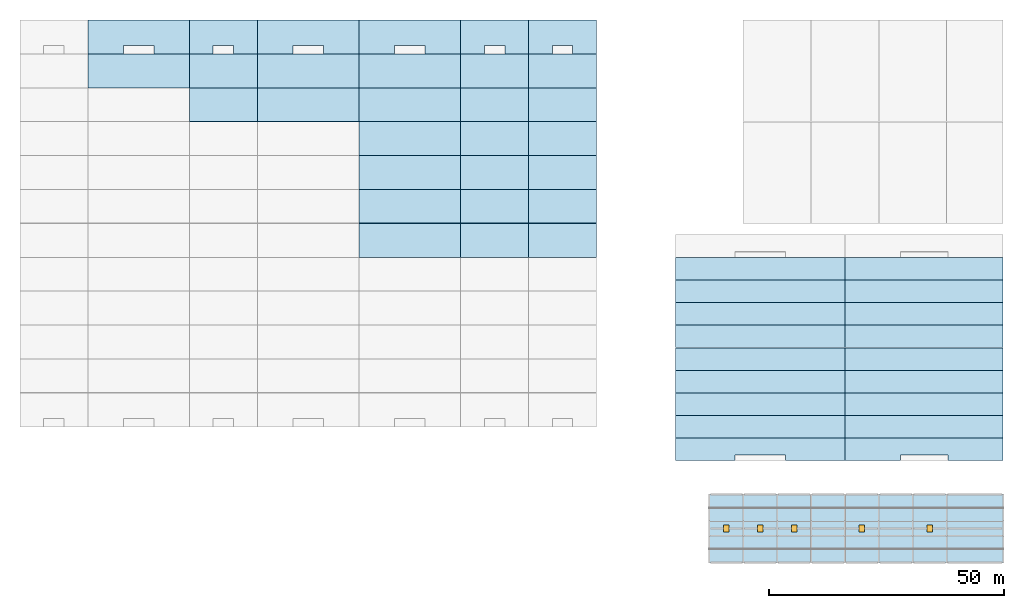
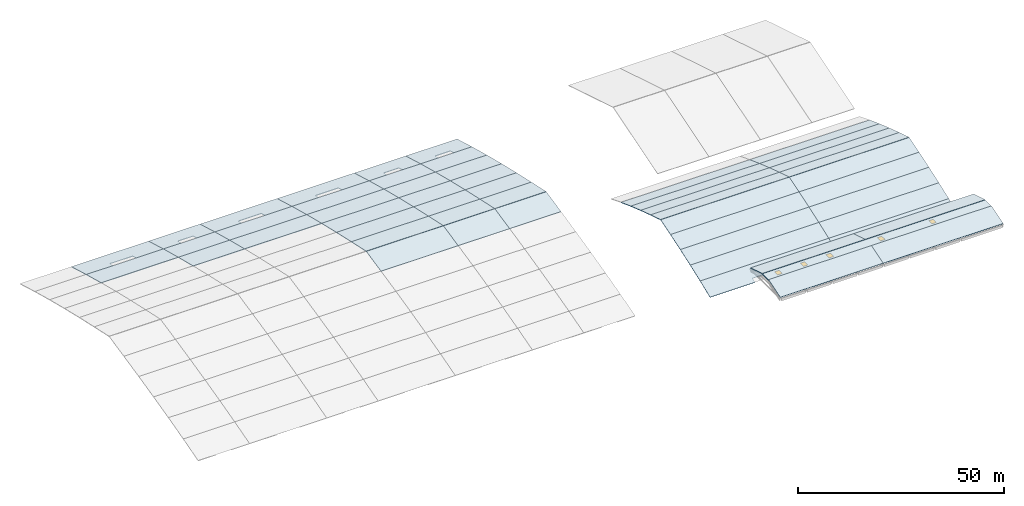
# One storey, part 3 of 7: 52 slabs, 5 windows, 5 openings.
"""IFC4 building model written with IfcOpenShell, lengths in metres."""

from ifc_helpers import new_model, si_unit, direction, frame, origin, origin_2d, place, context, subcontext, project, spatial, polyline, rectangle, outline, extrude, material, layer, layer_set, type_object, element, fill, save


model = new_model("IFC4")

# Units and contexts
model_context = context("Model", 3, precision=1e-05, world=origin(), true_north=direction((0.0, 1.0)))
body_context = subcontext(model_context, "Body", "Model", "MODEL_VIEW")
ifc_project = project(units=[si_unit("LENGTHUNIT", "METRE"), si_unit("AREAUNIT", "SQUARE_METRE"), si_unit("VOLUMEUNIT", "CUBIC_METRE"), si_unit("PLANEANGLEUNIT", "RADIAN"), si_unit("MASSUNIT", "GRAM", prefix="KILO")], contexts=[model_context])

# Site, building, storey
site_placement = place(None, origin())
site = spatial("IfcSite", under=ifc_project, at=site_placement, CompositionType="ELEMENT")
building_placement = place(site_placement, origin())
building = spatial("IfcBuilding", under=site, at=building_placement, Name="Cendralis Lancet Convention Centre", CompositionType="ELEMENT")
storey_placement = place(building_placement, frame((0.0, 0.0, 29.39990234375)))
storey = spatial("IfcBuildingStorey", under=building, at=storey_placement, Name="RF", CompositionType="ELEMENT", Elevation=29.39990234375)

# Slab, openings, windows
ifc_material_1 = material(Name="Concrete G35 (C35/45)", Category="concrete")
ifc_layer_1 = layer(ifc_material_1, 0.219970703125, Name="Concrete G35 (C35/45)")
ifc_layer_set_1 = layer_set([ifc_layer_1], Name="Concrete G35 (C35/45)")
slab_type_1 = type_object("IfcSlabType", Name="STR-SL-RF22", PredefinedType="ROOF", material=ifc_layer_set_1)
slab_1_placement = place(storey_placement, frame((0.0, 0.0, 0.880126953125)))
slab_1 = element("IfcSlab", 1, at=slab_1_placement, inside=storey, type_object=slab_type_1, Name="RF Roof Deck Slab V5TOP", PredefinedType="ROOF", context=body_context, shape_type="SweptSolid", body=[
    extrude(outline(polyline([(146.39990234375, 27.300048828125), (208.800048828125, 27.300048828125), (208.800048828125, 30.300048828125), (146.39990234375, 30.300048828125), (146.39990234375, 27.300048828125)])), origin(), (0.0, 0.0, 1.0), 0.219970703125),
])
opening_1_placement = place(slab_1_placement, frame((150.0, 28.800048828125, -0.010009765625)))
opening_1 = element("IfcOpeningElement", 2, at=opening_1_placement, cuts=slab_1, Name="Opening SK-03", PredefinedType="OPENING", context=body_context, shape_type="SweptSolid", body=[
    extrude(rectangle(XDim=1.199951171875, YDim=1.5, at=origin_2d()), origin(), (0.0, 0.0, 1.0), 0.239990234375),
])
opening_2_placement = place(slab_1_placement, frame((157.199951171875, 28.800048828125, -0.010009765625)))
opening_2 = element("IfcOpeningElement", 3, at=opening_2_placement, cuts=slab_1, Name="Opening SK-03", PredefinedType="OPENING", context=body_context, shape_type="SweptSolid", body=[
    extrude(rectangle(XDim=1.199951171875, YDim=1.5, at=origin_2d()), origin(), (0.0, 0.0, 1.0), 0.239990234375),
])
opening_3_placement = place(slab_1_placement, frame((164.39990234375, 28.800048828125, -0.010009765625)))
opening_3 = element("IfcOpeningElement", 4, at=opening_3_placement, cuts=slab_1, Name="Opening SK-03", PredefinedType="OPENING", context=body_context, shape_type="SweptSolid", body=[
    extrude(rectangle(XDim=1.199951171875, YDim=1.5, at=origin_2d()), origin(), (0.0, 0.0, 1.0), 0.239990234375),
])
opening_4_placement = place(slab_1_placement, frame((178.800048828125, 28.800048828125, -0.010009765625)))
opening_4 = element("IfcOpeningElement", 5, at=opening_4_placement, cuts=slab_1, Name="Opening SK-03", PredefinedType="OPENING", context=body_context, shape_type="SweptSolid", body=[
    extrude(rectangle(XDim=1.199951171875, YDim=1.5, at=origin_2d()), origin(), (0.0, 0.0, 1.0), 0.239990234375),
])
opening_5_placement = place(slab_1_placement, frame((193.199951171875, 28.800048828125, -0.010009765625)))
opening_5 = element("IfcOpeningElement", 6, at=opening_5_placement, cuts=slab_1, Name="Opening SK-03", PredefinedType="OPENING", context=body_context, shape_type="SweptSolid", body=[
    extrude(rectangle(XDim=1.199951171875, YDim=1.5, at=origin_2d()), origin(), (0.0, 0.0, 1.0), 0.239990234375),
])
ifc_material_2 = material(Name="Double-glazed low-E solar-control glass", Category="glass")
window_type = type_object("IfcWindowType", Name="ARC-SK-SK03", PartitioningType="SINGLE_PANEL", PredefinedType="SKYLIGHT", material=ifc_material_2)
window_1_placement = place(slab_1_placement, frame((150.0, 28.800048828125, 0.169921875)))
window_1 = element("IfcWindow", 7, at=window_1_placement, inside=storey, type_object=window_type, Name="Roof Skylight SK-03 #06", OverallHeight=1.5, OverallWidth=1.199951171875, PartitioningType="SINGLE_PANEL", PredefinedType="SKYLIGHT", context=body_context, shape_type="SweptSolid", body=[
    extrude(rectangle(XDim=1.199951171875, YDim=1.5, at=origin_2d()), origin(), (0.0, 0.0, 1.0), 0.050048828125),
])
fill(opening_1, window_1)
window_2_placement = place(slab_1_placement, frame((157.199951171875, 28.800048828125, 0.169921875)))
window_2 = element("IfcWindow", 8, at=window_2_placement, inside=storey, type_object=window_type, Name="Roof Skylight SK-03 #07", OverallHeight=1.5, OverallWidth=1.199951171875, PartitioningType="SINGLE_PANEL", PredefinedType="SKYLIGHT", context=body_context, shape_type="SweptSolid", body=[
    extrude(rectangle(XDim=1.199951171875, YDim=1.5, at=origin_2d()), origin(), (0.0, 0.0, 1.0), 0.050048828125),
])
fill(opening_2, window_2)
window_3_placement = place(slab_1_placement, frame((164.39990234375, 28.800048828125, 0.169921875)))
window_3 = element("IfcWindow", 9, at=window_3_placement, inside=storey, type_object=window_type, Name="Roof Skylight SK-03 #08", OverallHeight=1.5, OverallWidth=1.199951171875, PartitioningType="SINGLE_PANEL", PredefinedType="SKYLIGHT", context=body_context, shape_type="SweptSolid", body=[
    extrude(rectangle(XDim=1.199951171875, YDim=1.5, at=origin_2d()), origin(), (0.0, 0.0, 1.0), 0.050048828125),
])
fill(opening_3, window_3)
window_4_placement = place(slab_1_placement, frame((178.800048828125, 28.800048828125, 0.169921875)))
window_4 = element("IfcWindow", 10, at=window_4_placement, inside=storey, type_object=window_type, Name="Roof Skylight SK-03 #09", OverallHeight=1.5, OverallWidth=1.199951171875, PartitioningType="SINGLE_PANEL", PredefinedType="SKYLIGHT", context=body_context, shape_type="SweptSolid", body=[
    extrude(rectangle(XDim=1.199951171875, YDim=1.5, at=origin_2d()), origin(), (0.0, 0.0, 1.0), 0.050048828125),
])
fill(opening_4, window_4)
window_5_placement = place(slab_1_placement, frame((193.199951171875, 28.800048828125, 0.169921875)))
window_5 = element("IfcWindow", 11, at=window_5_placement, inside=storey, type_object=window_type, Name="Roof Skylight SK-03 #10", OverallHeight=1.5, OverallWidth=1.199951171875, PartitioningType="SINGLE_PANEL", PredefinedType="SKYLIGHT", context=body_context, shape_type="SweptSolid", body=[
    extrude(rectangle(XDim=1.199951171875, YDim=1.5, at=origin_2d()), origin(), (0.0, 0.0, 1.0), 0.050048828125),
])
fill(opening_5, window_5)

# Slabs
ifc_material_3 = material(Name="Steel S355", Category="steel")
ifc_layer_2 = layer(ifc_material_3, 0.14990234375, Name="Steel S355")
ifc_layer_set_2 = layer_set([ifc_layer_2], Name="Steel S355")
slab_type_2 = type_object("IfcSlabType", Name="STR-SL-VR15", PredefinedType="ROOF", material=ifc_layer_set_2)
slab_2_placement = place(storey_placement, frame((139.199951171875, 43.199951171875, -11.130615234375), z_axis=(0.0, -0.368794073748, 0.929511124822), x_axis=(1.0, 0.0, 0.0)))
element("IfcSlab", 12, at=slab_2_placement, inside=storey, type_object=slab_type_2, Name="V2 Vault Roof Deck Slab 01-00", PredefinedType="ROOF", context=body_context, shape_type="SweptSolid", body=[
    extrude(outline(polyline([(0.0, 0.0), (12.60009765625, 0.0), (12.60009765625, 1.2910313516561982), (23.400146484375, 1.2910313516561982), (23.400146484375, 0.0), (36.0, 0.0), (36.0, 5.164082225204767), (0.0, 5.164082225204767), (0.0, 0.0)])), origin(), (0.0, 0.0, -1.0), 0.14990234375),
])
slab_3_placement = place(storey_placement, frame((139.199951171875, 48.0, -9.227294921875), z_axis=(0.0, -0.348410360555, 0.937342104388), x_axis=(1.0, 0.0, 0.0)))
element("IfcSlab", 13, at=slab_3_placement, inside=storey, type_object=slab_type_2, Name="V2 Vault Roof Deck Slab 01-01", PredefinedType="ROOF", context=body_context, shape_type="SweptSolid", body=[
    extrude(outline(polyline([(0.0, 0.0), (36.0, 0.0), (36.0, 5.120914557935113), (0.0, 5.120914557935113), (0.0, 0.0)])), origin(), (0.0, 0.0, -1.0), 0.14990234375),
])
slab_4_placement = place(storey_placement, frame((139.199951171875, 52.800048828125, -7.4443359375), z_axis=(0.0, -0.327508322273, 0.944848294088), x_axis=(1.0, 0.0, 0.0)))
element("IfcSlab", 14, at=slab_4_placement, inside=storey, type_object=slab_type_2, Name="V2 Vault Roof Deck Slab 01-02", PredefinedType="ROOF", context=body_context, shape_type="SweptSolid", body=[
    extrude(outline(polyline([(0.0, 0.0), (36.0, 0.0), (36.0, 5.080232306241271), (0.0, 5.080232306241271), (0.0, 0.0)])), origin(), (0.0, 0.0, -1.0), 0.14990234375),
])
slab_5_placement = place(storey_placement, frame((139.199951171875, 57.60009765625, -5.781494140625), z_axis=(0.0, -0.309807724372, 0.950799229028), x_axis=(1.0, 0.0, 0.0)))
element("IfcSlab", 15, at=slab_5_placement, inside=storey, type_object=slab_type_2, Name="V2 Vault Roof Deck Slab 01-03", PredefinedType="ROOF", context=body_context, shape_type="SweptSolid", body=[
    extrude(outline(polyline([(0.0, 0.0), (36.0, 0.0), (36.0, 5.048178985597968), (0.0, 5.048178985597968), (0.0, 0.0)])), origin(), (0.0, 0.0, -1.0), 0.14990234375),
])
for number, where, z_axis, x_axis, name in (
    (16, (139.199951171875, 62.39990234375, -4.21826171875), (0.0, -0.298420386948, 0.954434530313), (1.0, 0.0, 0.0), "V2 Vault Roof Deck Slab 01-04"),
    (17, (139.199951171875, 67.2548828125, -2.734619140625), (0.0, 0.298420386948, 0.954434530313), (1.0, 0.0, 0.0), "V2 Vault Roof Deck Slab 01-05"),
):
    element("IfcSlab", number, at=place(storey_placement, frame(where, z_axis=z_axis, x_axis=x_axis)), inside=storey, type_object=slab_type_2, Name=name, PredefinedType="ROOF", context=body_context, shape_type="SweptSolid", body=[
        extrude(outline(polyline([(0.0, 0.0), (36.0, 0.0), (36.0, 4.97165288638832), (0.0, 4.97165288638832), (0.0, 0.0)])), origin(), (0.0, 0.0, -1.0), 0.14990234375),
    ])
slab_6_placement = place(storey_placement, frame((139.199951171875, 72.0, -4.217529296875), z_axis=(0.0, 0.309793479208, 0.950803870543), x_axis=(1.0, 0.0, 0.0)))
element("IfcSlab", 18, at=slab_6_placement, inside=storey, type_object=slab_type_2, Name="V2 Vault Roof Deck Slab 01-06", PredefinedType="ROOF", context=body_context, shape_type="SweptSolid", body=[
    extrude(outline(polyline([(0.0, 0.0), (36.0, 0.0), (36.0, 5.048411114882597), (0.0, 5.048411114882597), (0.0, 0.0)])), origin(), (0.0, 0.0, -1.0), 0.14990234375),
])
slab_7_placement = place(storey_placement, frame((139.199951171875, 76.800048828125, -5.780517578125), z_axis=(0.0, 0.327508322273, 0.944848294088), x_axis=(1.0, 0.0, 0.0)))
element("IfcSlab", 19, at=slab_7_placement, inside=storey, type_object=slab_type_2, Name="V2 Vault Roof Deck Slab 01-07", PredefinedType="ROOF", context=body_context, shape_type="SweptSolid", body=[
    extrude(outline(polyline([(0.0, 0.0), (36.0, 0.0), (36.0, 5.080232306241271), (0.0, 5.080232306241271), (0.0, 0.0)])), origin(), (0.0, 0.0, -1.0), 0.14990234375),
])
slab_8_placement = place(storey_placement, frame((139.199951171875, 81.60009765625, -7.443115234375), z_axis=(0.0, 0.348425930955, 0.937336316718), x_axis=(1.0, 0.0, 0.0)))
element("IfcSlab", 20, at=slab_8_placement, inside=storey, type_object=slab_type_2, Name="V2 Vault Roof Deck Slab 01-08", PredefinedType="ROOF", context=body_context, shape_type="SweptSolid", body=[
    extrude(outline(polyline([(0.0, 0.0), (36.0, 0.0), (36.0, 5.120685715354396), (0.0, 5.120685715354396), (0.0, 0.0)])), origin(), (0.0, 0.0, -1.0), 0.14990234375),
])
slab_9_placement = place(storey_placement, frame((175.199951171875, 43.199951171875, -11.130615234375), z_axis=(0.0, -0.368794073744, 0.929511124824), x_axis=(1.0, 0.0, 0.0)))
element("IfcSlab", 21, at=slab_9_placement, inside=storey, type_object=slab_type_2, Name="V2 Vault Roof Deck Slab 02-00", PredefinedType="ROOF", context=body_context, shape_type="SweptSolid", body=[
    extrude(outline(polyline([(0.0, 0.0), (11.760009765625, 0.0), (11.760009765625, 1.291031351656197), (21.840087890625, 1.291031351656197), (21.840087890625, 0.0), (33.60009765625, 0.0), (33.60009765625, 5.1640822252047665), (0.0, 5.1640822252047665), (0.0, 0.0)])), origin(), (0.0, 0.0, -1.0), 0.14990234375),
])
slab_10_placement = place(storey_placement, frame((175.199951171875, 48.0, -9.227294921875), z_axis=(0.0, -0.348410360555, 0.937342104388), x_axis=(1.0, 0.0, 0.0)))
element("IfcSlab", 22, at=slab_10_placement, inside=storey, type_object=slab_type_2, Name="V2 Vault Roof Deck Slab 02-01", PredefinedType="ROOF", context=body_context, shape_type="SweptSolid", body=[
    extrude(outline(polyline([(0.0, 0.0), (33.60009765625, 0.0), (33.60009765625, 5.120914557935113), (0.0, 5.120914557935113), (0.0, 0.0)])), origin(), (0.0, 0.0, -1.0), 0.14990234375),
])
slab_11_placement = place(storey_placement, frame((175.199951171875, 52.800048828125, -7.4443359375), z_axis=(0.0, -0.327508322273, 0.944848294088), x_axis=(1.0, 0.0, 0.0)))
element("IfcSlab", 23, at=slab_11_placement, inside=storey, type_object=slab_type_2, Name="V2 Vault Roof Deck Slab 02-02", PredefinedType="ROOF", context=body_context, shape_type="SweptSolid", body=[
    extrude(outline(polyline([(0.0, 0.0), (33.60009765625, 0.0), (33.60009765625, 5.080232306241271), (0.0, 5.080232306241271), (0.0, 0.0)])), origin(), (0.0, 0.0, -1.0), 0.14990234375),
])
slab_12_placement = place(storey_placement, frame((175.199951171875, 57.60009765625, -5.781494140625), z_axis=(0.0, -0.309807724372, 0.950799229028), x_axis=(1.0, 0.0, 0.0)))
element("IfcSlab", 24, at=slab_12_placement, inside=storey, type_object=slab_type_2, Name="V2 Vault Roof Deck Slab 02-03", PredefinedType="ROOF", context=body_context, shape_type="SweptSolid", body=[
    extrude(outline(polyline([(0.0, 0.0), (33.60009765625, 0.0), (33.60009765625, 5.048178985597969), (0.0, 5.048178985597969), (0.0, 0.0)])), origin(), (0.0, 0.0, -1.0), 0.14990234375),
])
for number, where, z_axis, x_axis, name in (
    (25, (175.199951171875, 62.39990234375, -4.21826171875), (0.0, -0.298420386948, 0.954434530313), (1.0, 0.0, 0.0), "V2 Vault Roof Deck Slab 02-04"),
    (26, (175.199951171875, 67.2548828125, -2.734619140625), (0.0, 0.298420386948, 0.954434530313), (1.0, 0.0, 0.0), "V2 Vault Roof Deck Slab 02-05"),
):
    element("IfcSlab", number, at=place(storey_placement, frame(where, z_axis=z_axis, x_axis=x_axis)), inside=storey, type_object=slab_type_2, Name=name, PredefinedType="ROOF", context=body_context, shape_type="SweptSolid", body=[
        extrude(outline(polyline([(0.0, 0.0), (33.60009765625, 0.0), (33.60009765625, 4.97165288638832), (0.0, 4.97165288638832), (0.0, 0.0)])), origin(), (0.0, 0.0, -1.0), 0.14990234375),
    ])
slab_13_placement = place(storey_placement, frame((175.199951171875, 72.0, -4.217529296875), z_axis=(0.0, 0.309793479208, 0.950803870543), x_axis=(1.0, 0.0, 0.0)))
element("IfcSlab", 27, at=slab_13_placement, inside=storey, type_object=slab_type_2, Name="V2 Vault Roof Deck Slab 02-06", PredefinedType="ROOF", context=body_context, shape_type="SweptSolid", body=[
    extrude(outline(polyline([(0.0, 0.0), (33.60009765625, 0.0), (33.60009765625, 5.048411114882597), (0.0, 5.048411114882597), (0.0, 0.0)])), origin(), (0.0, 0.0, -1.0), 0.14990234375),
])
slab_14_placement = place(storey_placement, frame((175.199951171875, 76.800048828125, -5.780517578125), z_axis=(0.0, 0.327508322273, 0.944848294088), x_axis=(1.0, 0.0, 0.0)))
element("IfcSlab", 28, at=slab_14_placement, inside=storey, type_object=slab_type_2, Name="V2 Vault Roof Deck Slab 02-07", PredefinedType="ROOF", context=body_context, shape_type="SweptSolid", body=[
    extrude(outline(polyline([(0.0, 0.0), (33.60009765625, 0.0), (33.60009765625, 5.080232306241271), (0.0, 5.080232306241271), (0.0, 0.0)])), origin(), (0.0, 0.0, -1.0), 0.14990234375),
])
slab_15_placement = place(storey_placement, frame((175.199951171875, 81.60009765625, -7.443115234375), z_axis=(0.0, 0.348425930955, 0.937336316718), x_axis=(1.0, 0.0, 0.0)))
element("IfcSlab", 29, at=slab_15_placement, inside=storey, type_object=slab_type_2, Name="V2 Vault Roof Deck Slab 02-08", PredefinedType="ROOF", context=body_context, shape_type="SweptSolid", body=[
    extrude(outline(polyline([(0.0, 0.0), (33.60009765625, 0.0), (33.60009765625, 5.120685715354396), (0.0, 5.120685715354396), (0.0, 0.0)])), origin(), (0.0, 0.0, -1.0), 0.14990234375),
])
ifc_layer_3 = layer(ifc_material_3, 0.159912109375, Name="Steel S355")
ifc_layer_set_3 = layer_set([ifc_layer_3], Name="Steel S355")
slab_type_3 = type_object("IfcSlabType", Name="STR-SL-VR16", PredefinedType="ROOF", material=ifc_layer_set_3)
slab_16_placement = place(storey_placement, frame((14.39990234375, 122.39990234375, -11.199951171875), z_axis=(0.0, 0.257615748816, 0.966247445514), x_axis=(1.0, 0.0, 0.0)))
element("IfcSlab", 30, at=slab_16_placement, inside=storey, type_object=slab_type_3, Name="V1 Vault Roof Deck Slab 02-10", PredefinedType="ROOF", context=body_context, shape_type="SweptSolid", body=[
    extrude(outline(polyline([(0.0, 0.0), (21.60009765625, 0.0), (21.60009765625, 7.4517095449300825), (0.0, 7.4517095449300825), (0.0, 0.0)])), origin(), (0.0, 0.0, -1.0), 0.159912109375),
])
slab_17_placement = place(storey_placement, frame((14.39990234375, 129.60009765625, -13.118896484375), z_axis=(0.0, 0.27465874519, 0.961541769083), x_axis=(1.0, 0.0, 0.0)))
element("IfcSlab", 31, at=slab_17_placement, inside=storey, type_object=slab_type_3, Name="V1 Vault Roof Deck Slab 02-11", PredefinedType="ROOF", context=body_context, shape_type="SweptSolid", body=[
    extrude(outline(polyline([(0.0, 0.0), (7.56005859375, 0.0), (7.56005859375, 1.8718059665643738), (14.0400390625, 1.8718059665643738), (14.0400390625, 0.0), (21.60009765625, 0.0), (21.60009765625, 7.487928120482898), (0.0, 7.487928120482898), (0.0, 0.0)])), origin(), (0.0, 0.0, -1.0), 0.159912109375),
])
slab_18_placement = place(storey_placement, frame((36.0, 115.199951171875, -9.40771484375), z_axis=(0.0, 0.241645185965, 0.970364675831), x_axis=(1.0, 0.0, 0.0)))
element("IfcSlab", 32, at=slab_18_placement, inside=storey, type_object=slab_type_3, Name="V1 Vault Roof Deck Slab 03-09", PredefinedType="ROOF", context=body_context, shape_type="SweptSolid", body=[
    extrude(outline(polyline([(0.0, 0.0), (14.39990234375, 0.0), (14.39990234375, 7.419840551916243), (0.0, 7.419840551916243), (0.0, 0.0)])), origin(), (0.0, 0.0, -1.0), 0.159912109375),
])
slab_19_placement = place(storey_placement, frame((36.0, 122.39990234375, -11.199951171875), z_axis=(0.0, 0.257615748816, 0.966247445514), x_axis=(1.0, 0.0, 0.0)))
element("IfcSlab", 33, at=slab_19_placement, inside=storey, type_object=slab_type_3, Name="V1 Vault Roof Deck Slab 03-10", PredefinedType="ROOF", context=body_context, shape_type="SweptSolid", body=[
    extrude(outline(polyline([(0.0, 0.0), (14.39990234375, 0.0), (14.39990234375, 7.4517095449300825), (0.0, 7.4517095449300825), (0.0, 0.0)])), origin(), (0.0, 0.0, -1.0), 0.159912109375),
])
slab_20_placement = place(storey_placement, frame((36.0, 129.60009765625, -13.118896484375), z_axis=(0.0, 0.274658745122, 0.961541769102), x_axis=(1.0, 0.0, 0.0)))
element("IfcSlab", 34, at=slab_20_placement, inside=storey, type_object=slab_type_3, Name="V1 Vault Roof Deck Slab 03-11", PredefinedType="ROOF", context=body_context, shape_type="SweptSolid", body=[
    extrude(outline(polyline([(0.0, 0.0), (5.0400390625, 0.0), (5.0400390625, 1.8718059665643698), (9.360107421875, 1.8718059665643698), (9.360107421875, 0.0), (14.39990234375, 0.0), (14.39990234375, 7.487928120482896), (0.0, 7.487928120482896), (0.0, 0.0)])), origin(), (0.0, 0.0, -1.0), 0.159912109375),
])
slab_21_placement = place(storey_placement, frame((50.39990234375, 115.199951171875, -9.40771484375), z_axis=(0.0, 0.241645185965, 0.970364675831), x_axis=(1.0, 0.0, 0.0)))
element("IfcSlab", 35, at=slab_21_placement, inside=storey, type_object=slab_type_3, Name="V1 Vault Roof Deck Slab 04-09", PredefinedType="ROOF", context=body_context, shape_type="SweptSolid", body=[
    extrude(outline(polyline([(0.0, 0.0), (21.60009765625, 0.0), (21.60009765625, 7.419840551916243), (0.0, 7.419840551916243), (0.0, 0.0)])), origin(), (0.0, 0.0, -1.0), 0.159912109375),
])
slab_22_placement = place(storey_placement, frame((50.39990234375, 122.39990234375, -11.199951171875), z_axis=(0.0, 0.257615748816, 0.966247445514), x_axis=(1.0, 0.0, 0.0)))
element("IfcSlab", 36, at=slab_22_placement, inside=storey, type_object=slab_type_3, Name="V1 Vault Roof Deck Slab 04-10", PredefinedType="ROOF", context=body_context, shape_type="SweptSolid", body=[
    extrude(outline(polyline([(0.0, 0.0), (21.60009765625, 0.0), (21.60009765625, 7.4517095449300825), (0.0, 7.4517095449300825), (0.0, 0.0)])), origin(), (0.0, 0.0, -1.0), 0.159912109375),
])
slab_23_placement = place(storey_placement, frame((50.39990234375, 129.60009765625, -13.118896484375), z_axis=(0.0, 0.27465874519, 0.961541769083), x_axis=(1.0, 0.0, 0.0)))
element("IfcSlab", 37, at=slab_23_placement, inside=storey, type_object=slab_type_3, Name="V1 Vault Roof Deck Slab 04-11", PredefinedType="ROOF", context=body_context, shape_type="SweptSolid", body=[
    extrude(outline(polyline([(0.0, 0.0), (7.56005859375, 0.0), (7.56005859375, 1.8718059665643738), (14.0400390625, 1.8718059665643738), (14.0400390625, 0.0), (21.60009765625, 0.0), (21.60009765625, 7.487928120482898), (0.0, 7.487928120482898), (0.0, 0.0)])), origin(), (0.0, 0.0, -1.0), 0.159912109375),
])
for number, where, z_axis, x_axis, name in (
    (38, (72.0, 86.39990234375, -6.1181640625), (0.0, -0.21070143879, 0.977550460944), (1.0, 0.0, 0.0), "V1 Vault Roof Deck Slab 05-05"),
    (39, (72.0, 93.655029296875, -4.578125), (0.0, 0.21070143879, 0.977550460944), (1.0, 0.0, 0.0), "V1 Vault Roof Deck Slab 05-06"),
):
    element("IfcSlab", number, at=place(storey_placement, frame(where, z_axis=z_axis, x_axis=x_axis)), inside=storey, type_object=slab_type_3, Name=name, PredefinedType="ROOF", context=body_context, shape_type="SweptSolid", body=[
        extrude(outline(polyline([(0.0, 0.0), (21.60009765625, 0.0), (21.60009765625, 7.309105582488862), (0.0, 7.309105582488862), (0.0, 0.0)])), origin(), (0.0, 0.0, -1.0), 0.159912109375),
    ])
slab_24_placement = place(storey_placement, frame((72.0, 100.800048828125, -6.117919921875), z_axis=(0.0, 0.217354480974, 0.976092736168), x_axis=(1.0, 0.0, 0.0)))
element("IfcSlab", 40, at=slab_24_placement, inside=storey, type_object=slab_type_3, Name="V1 Vault Roof Deck Slab 05-07", PredefinedType="ROOF", context=body_context, shape_type="SweptSolid", body=[
    extrude(outline(polyline([(0.0, 0.0), (21.60009765625, 0.0), (21.60009765625, 7.376298280980386), (0.0, 7.376298280980386), (0.0, 0.0)])), origin(), (0.0, 0.0, -1.0), 0.159912109375),
])
slab_25_placement = place(storey_placement, frame((72.0, 108.0, -7.720703125), z_axis=(0.0, 0.228192789739, 0.97361596675), x_axis=(1.0, 0.0, 0.0)))
element("IfcSlab", 41, at=slab_25_placement, inside=storey, type_object=slab_type_3, Name="V1 Vault Roof Deck Slab 05-08", PredefinedType="ROOF", context=body_context, shape_type="SweptSolid", body=[
    extrude(outline(polyline([(0.0, 0.0), (21.60009765625, 0.0), (21.60009765625, 7.395062753444637), (0.0, 7.395062753444637), (0.0, 0.0)])), origin(), (0.0, 0.0, -1.0), 0.159912109375),
])
slab_26_placement = place(storey_placement, frame((72.0, 115.199951171875, -9.40771484375), z_axis=(0.0, 0.241645185965, 0.970364675831), x_axis=(1.0, 0.0, 0.0)))
element("IfcSlab", 42, at=slab_26_placement, inside=storey, type_object=slab_type_3, Name="V1 Vault Roof Deck Slab 05-09", PredefinedType="ROOF", context=body_context, shape_type="SweptSolid", body=[
    extrude(outline(polyline([(0.0, 0.0), (21.60009765625, 0.0), (21.60009765625, 7.419840551916243), (0.0, 7.419840551916243), (0.0, 0.0)])), origin(), (0.0, 0.0, -1.0), 0.159912109375),
])
slab_27_placement = place(storey_placement, frame((72.0, 122.39990234375, -11.199951171875), z_axis=(0.0, 0.257615748816, 0.966247445514), x_axis=(1.0, 0.0, 0.0)))
element("IfcSlab", 43, at=slab_27_placement, inside=storey, type_object=slab_type_3, Name="V1 Vault Roof Deck Slab 05-10", PredefinedType="ROOF", context=body_context, shape_type="SweptSolid", body=[
    extrude(outline(polyline([(0.0, 0.0), (21.60009765625, 0.0), (21.60009765625, 7.4517095449300825), (0.0, 7.4517095449300825), (0.0, 0.0)])), origin(), (0.0, 0.0, -1.0), 0.159912109375),
])
slab_28_placement = place(storey_placement, frame((72.0, 129.60009765625, -13.118896484375), z_axis=(0.0, 0.27465874519, 0.961541769083), x_axis=(1.0, 0.0, 0.0)))
element("IfcSlab", 44, at=slab_28_placement, inside=storey, type_object=slab_type_3, Name="V1 Vault Roof Deck Slab 05-11", PredefinedType="ROOF", context=body_context, shape_type="SweptSolid", body=[
    extrude(outline(polyline([(0.0, 0.0), (7.56005859375, 0.0), (7.56005859375, 1.8718059665643738), (14.0400390625, 1.8718059665643738), (14.0400390625, 0.0), (21.60009765625, 0.0), (21.60009765625, 7.487928120482898), (0.0, 7.487928120482898), (0.0, 0.0)])), origin(), (0.0, 0.0, -1.0), 0.159912109375),
])
for number, where, z_axis, x_axis, name in (
    (45, (93.60009765625, 86.39990234375, -6.1181640625), (0.0, -0.21070143879, 0.977550460944), (1.0, 0.0, 0.0), "V1 Vault Roof Deck Slab 06-05"),
    (46, (93.60009765625, 93.655029296875, -4.578125), (0.0, 0.21070143879, 0.977550460944), (1.0, 0.0, 0.0), "V1 Vault Roof Deck Slab 06-06"),
):
    element("IfcSlab", number, at=place(storey_placement, frame(where, z_axis=z_axis, x_axis=x_axis)), inside=storey, type_object=slab_type_3, Name=name, PredefinedType="ROOF", context=body_context, shape_type="SweptSolid", body=[
        extrude(outline(polyline([(0.0, 0.0), (14.39990234375, 0.0), (14.39990234375, 7.309105582488862), (0.0, 7.309105582488862), (0.0, 0.0)])), origin(), (0.0, 0.0, -1.0), 0.159912109375),
    ])
slab_29_placement = place(storey_placement, frame((93.60009765625, 100.800048828125, -6.117919921875), z_axis=(0.0, 0.217354480974, 0.976092736168), x_axis=(1.0, 0.0, 0.0)))
element("IfcSlab", 47, at=slab_29_placement, inside=storey, type_object=slab_type_3, Name="V1 Vault Roof Deck Slab 06-07", PredefinedType="ROOF", context=body_context, shape_type="SweptSolid", body=[
    extrude(outline(polyline([(0.0, 0.0), (14.39990234375, 0.0), (14.39990234375, 7.376298280980387), (0.0, 7.376298280980387), (0.0, 0.0)])), origin(), (0.0, 0.0, -1.0), 0.159912109375),
])
slab_30_placement = place(storey_placement, frame((93.60009765625, 108.0, -7.720703125), z_axis=(0.0, 0.228192789739, 0.97361596675), x_axis=(1.0, 0.0, 0.0)))
element("IfcSlab", 48, at=slab_30_placement, inside=storey, type_object=slab_type_3, Name="V1 Vault Roof Deck Slab 06-08", PredefinedType="ROOF", context=body_context, shape_type="SweptSolid", body=[
    extrude(outline(polyline([(0.0, 0.0), (14.39990234375, 0.0), (14.39990234375, 7.395062753444637), (0.0, 7.395062753444637), (0.0, 0.0)])), origin(), (0.0, 0.0, -1.0), 0.159912109375),
])
slab_31_placement = place(storey_placement, frame((93.60009765625, 115.199951171875, -9.40771484375), z_axis=(0.0, 0.241645185965, 0.970364675831), x_axis=(1.0, 0.0, 0.0)))
element("IfcSlab", 49, at=slab_31_placement, inside=storey, type_object=slab_type_3, Name="V1 Vault Roof Deck Slab 06-09", PredefinedType="ROOF", context=body_context, shape_type="SweptSolid", body=[
    extrude(outline(polyline([(0.0, 0.0), (14.39990234375, 0.0), (14.39990234375, 7.419840551916243), (0.0, 7.419840551916243), (0.0, 0.0)])), origin(), (0.0, 0.0, -1.0), 0.159912109375),
])
slab_32_placement = place(storey_placement, frame((93.60009765625, 122.39990234375, -11.199951171875), z_axis=(0.0, 0.257615748816, 0.966247445514), x_axis=(1.0, 0.0, 0.0)))
element("IfcSlab", 50, at=slab_32_placement, inside=storey, type_object=slab_type_3, Name="V1 Vault Roof Deck Slab 06-10", PredefinedType="ROOF", context=body_context, shape_type="SweptSolid", body=[
    extrude(outline(polyline([(0.0, 0.0), (14.39990234375, 0.0), (14.39990234375, 7.4517095449300825), (0.0, 7.4517095449300825), (0.0, 0.0)])), origin(), (0.0, 0.0, -1.0), 0.159912109375),
])
slab_33_placement = place(storey_placement, frame((93.60009765625, 129.60009765625, -13.118896484375), z_axis=(0.0, 0.274658745122, 0.961541769102), x_axis=(1.0, 0.0, 0.0)))
element("IfcSlab", 51, at=slab_33_placement, inside=storey, type_object=slab_type_3, Name="V1 Vault Roof Deck Slab 06-11", PredefinedType="ROOF", context=body_context, shape_type="SweptSolid", body=[
    extrude(outline(polyline([(0.0, 0.0), (5.039794921875, 0.0), (5.039794921875, 1.8718059665643698), (9.35986328125, 1.8718059665643698), (9.35986328125, 0.0), (14.39990234375, 0.0), (14.39990234375, 7.487928120482896), (0.0, 7.487928120482896), (0.0, 0.0)])), origin(), (0.0, 0.0, -1.0), 0.159912109375),
])
for number, where, z_axis, x_axis, name in (
    (52, (108.0, 86.39990234375, -6.1181640625), (0.0, -0.21070143879, 0.977550460944), (1.0, 0.0, 0.0), "V1 Vault Roof Deck Slab 07-05"),
    (53, (108.0, 93.655029296875, -4.578125), (0.0, 0.21070143879, 0.977550460944), (1.0, 0.0, 0.0), "V1 Vault Roof Deck Slab 07-06"),
):
    element("IfcSlab", number, at=place(storey_placement, frame(where, z_axis=z_axis, x_axis=x_axis)), inside=storey, type_object=slab_type_3, Name=name, PredefinedType="ROOF", context=body_context, shape_type="SweptSolid", body=[
        extrude(outline(polyline([(0.0, 0.0), (14.39990234375, 0.0), (14.39990234375, 7.309105582488862), (0.0, 7.309105582488862), (0.0, 0.0)])), origin(), (0.0, 0.0, -1.0), 0.159912109375),
    ])
slab_34_placement = place(storey_placement, frame((108.0, 100.800048828125, -6.117919921875), z_axis=(0.0, 0.217354480974, 0.976092736168), x_axis=(1.0, 0.0, 0.0)))
element("IfcSlab", 54, at=slab_34_placement, inside=storey, type_object=slab_type_3, Name="V1 Vault Roof Deck Slab 07-07", PredefinedType="ROOF", context=body_context, shape_type="SweptSolid", body=[
    extrude(outline(polyline([(0.0, 0.0), (14.39990234375, 0.0), (14.39990234375, 7.376298280980387), (0.0, 7.376298280980387), (0.0, 0.0)])), origin(), (0.0, 0.0, -1.0), 0.159912109375),
])
slab_35_placement = place(storey_placement, frame((108.0, 108.0, -7.720703125), z_axis=(0.0, 0.228192789739, 0.97361596675), x_axis=(1.0, 0.0, 0.0)))
element("IfcSlab", 55, at=slab_35_placement, inside=storey, type_object=slab_type_3, Name="V1 Vault Roof Deck Slab 07-08", PredefinedType="ROOF", context=body_context, shape_type="SweptSolid", body=[
    extrude(outline(polyline([(0.0, 0.0), (14.39990234375, 0.0), (14.39990234375, 7.395062753444637), (0.0, 7.395062753444637), (0.0, 0.0)])), origin(), (0.0, 0.0, -1.0), 0.159912109375),
])
slab_36_placement = place(storey_placement, frame((108.0, 115.199951171875, -9.40771484375), z_axis=(0.0, 0.241645185965, 0.970364675831), x_axis=(1.0, 0.0, 0.0)))
element("IfcSlab", 56, at=slab_36_placement, inside=storey, type_object=slab_type_3, Name="V1 Vault Roof Deck Slab 07-09", PredefinedType="ROOF", context=body_context, shape_type="SweptSolid", body=[
    extrude(outline(polyline([(0.0, 0.0), (14.39990234375, 0.0), (14.39990234375, 7.419840551916243), (0.0, 7.419840551916243), (0.0, 0.0)])), origin(), (0.0, 0.0, -1.0), 0.159912109375),
])
slab_37_placement = place(storey_placement, frame((108.0, 122.39990234375, -11.199951171875), z_axis=(0.0, 0.257615748816, 0.966247445514), x_axis=(1.0, 0.0, 0.0)))
element("IfcSlab", 57, at=slab_37_placement, inside=storey, type_object=slab_type_3, Name="V1 Vault Roof Deck Slab 07-10", PredefinedType="ROOF", context=body_context, shape_type="SweptSolid", body=[
    extrude(outline(polyline([(0.0, 0.0), (14.39990234375, 0.0), (14.39990234375, 7.4517095449300825), (0.0, 7.4517095449300825), (0.0, 0.0)])), origin(), (0.0, 0.0, -1.0), 0.159912109375),
])
slab_38_placement = place(storey_placement, frame((108.0, 129.60009765625, -13.118896484375), z_axis=(0.0, 0.274658745122, 0.961541769102), x_axis=(1.0, 0.0, 0.0)))
element("IfcSlab", 58, at=slab_38_placement, inside=storey, type_object=slab_type_3, Name="V1 Vault Roof Deck Slab 07-11", PredefinedType="ROOF", context=body_context, shape_type="SweptSolid", body=[
    extrude(outline(polyline([(0.0, 0.0), (5.0400390625, 0.0), (5.0400390625, 1.8718059665643698), (9.360107421875, 1.8718059665643698), (9.360107421875, 0.0), (14.39990234375, 0.0), (14.39990234375, 7.487928120482896), (0.0, 7.487928120482896), (0.0, 0.0)])), origin(), (0.0, 0.0, -1.0), 0.159912109375),
])
ifc_layer_4 = layer(ifc_material_3, 0.139892578125, Name="Steel S355")
ifc_layer_set_4 = layer_set([ifc_layer_4], Name="Steel S355")
slab_type_4 = type_object("IfcSlabType", Name="STR-SL-ZR14", PredefinedType="ROOF", material=ifc_layer_set_4)
for number, where, z_axis, x_axis, name in (
    (59, (146.39990234375, 21.60009765625, -0.585205078125), (0.0, -0.299047923534, 0.95423809368), (1.0, 0.0, 0.0), "Cordillera Crown Pitched Roof Slab 01-S"),
    (60, (146.39990234375, 30.320068359375, 1.19482421875), (0.0, 0.299047923534, 0.95423809368), (1.0, 0.0, 0.0), "Cordillera Crown Pitched Roof Slab 01-N"),
):
    element("IfcSlab", number, at=place(storey_placement, frame(where, z_axis=z_axis, x_axis=x_axis)), inside=storey, type_object=slab_type_4, Name=name, PredefinedType="ROOF", context=body_context, shape_type="SweptSolid", body=[
        extrude(outline(polyline([(0.0, 0.0), (28.800048828125, 0.0), (28.800048828125, 5.9523212060427575), (0.0, 5.9523212060427575), (0.0, 0.0)])), origin(), (0.0, 0.0, -1.0), 0.139892578125),
    ])
for number, where, z_axis, x_axis, name in (
    (61, (175.199951171875, 21.60009765625, -0.585205078125), (0.0, -0.299047923534, 0.95423809368), (1.0, 0.0, 0.0), "Cordillera Crown Pitched Roof Slab 02-S"),
    (62, (175.199951171875, 30.320068359375, 1.19482421875), (0.0, 0.299047923534, 0.95423809368), (1.0, 0.0, 0.0), "Cordillera Crown Pitched Roof Slab 02-N"),
):
    element("IfcSlab", number, at=place(storey_placement, frame(where, z_axis=z_axis, x_axis=x_axis)), inside=storey, type_object=slab_type_4, Name=name, PredefinedType="ROOF", context=body_context, shape_type="SweptSolid", body=[
        extrude(outline(polyline([(0.0, 0.0), (33.60009765625, 0.0), (33.60009765625, 5.9523212060427575), (0.0, 5.9523212060427575), (0.0, 0.0)])), origin(), (0.0, 0.0, -1.0), 0.139892578125),
    ])

save(model, "model.ifc")
